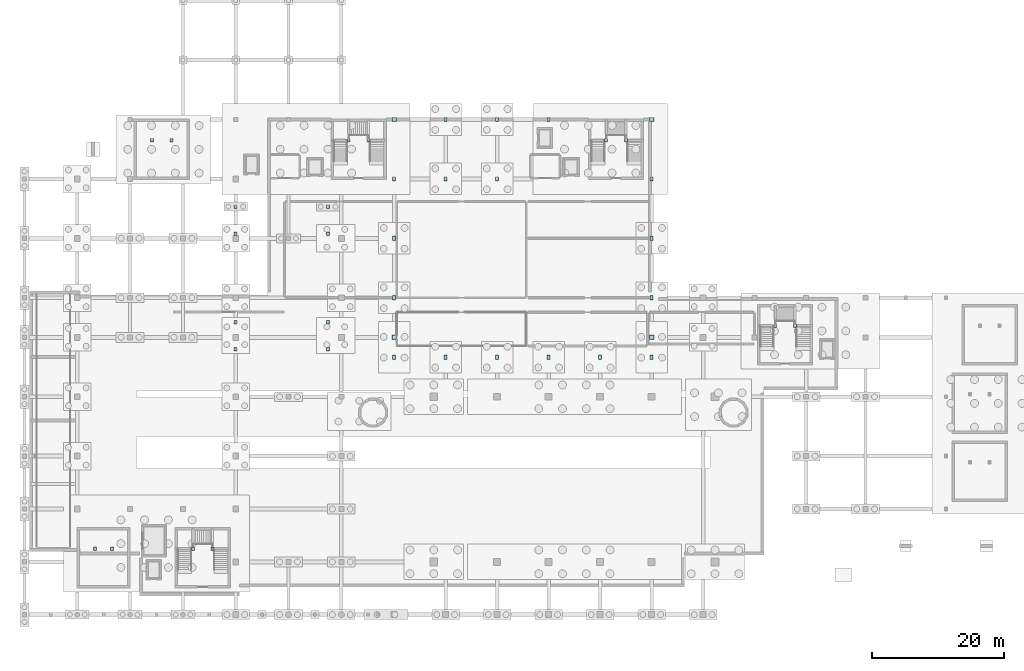
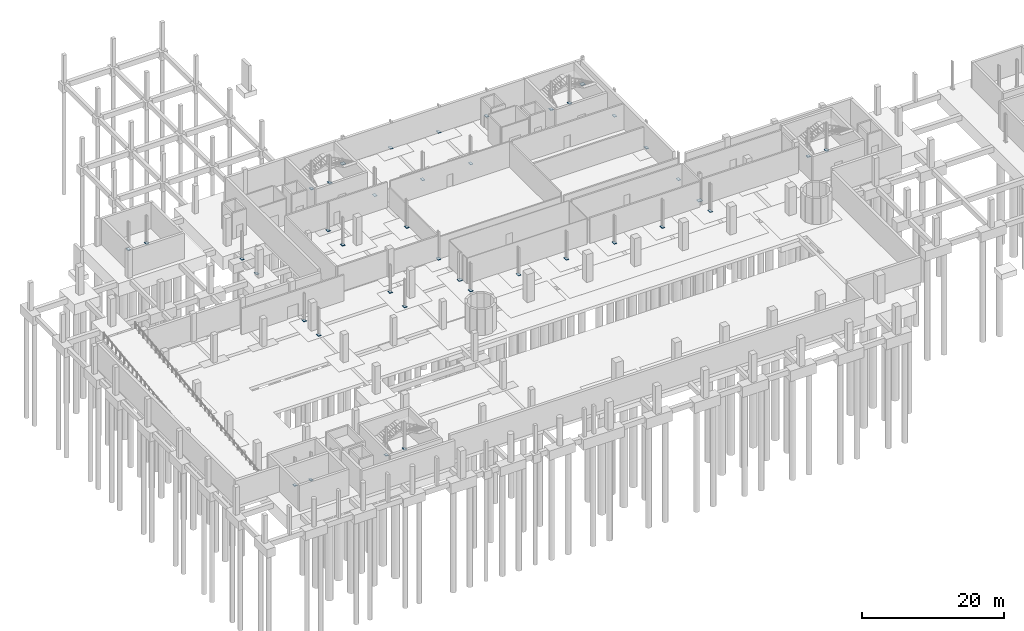
# One storey, part 23 of 32: 41 plates.
"""IFC4 building model written with IfcOpenShell, lengths in metres."""

from ifc_helpers import new_model, si_unit, derived_unit, direction, frame, origin, origin_2d, place, context, subcontext, project, spatial, rectangle, extrude, material, layer, layer_set, type_object, element, save


model = new_model("IFC4")

# Units and contexts
model_context = context("Model", 3, precision=1e-05, world=origin(), true_north=direction((0.0, 1.0)))
body_context = subcontext(model_context, "Body", "Model", "MODEL_VIEW")
ifc_project = project(units=[si_unit("LENGTHUNIT", "METRE"), si_unit("AREAUNIT", "SQUARE_METRE"), si_unit("VOLUMEUNIT", "CUBIC_METRE"), si_unit("PLANEANGLEUNIT", "RADIAN"), si_unit("MASSUNIT", "GRAM", prefix="KILO"), derived_unit("THERMALTRANSMITTANCEUNIT", [(si_unit("POWERUNIT", "WATT"), 1), (si_unit("LENGTHUNIT", "METRE"), -2), (si_unit("THERMODYNAMICTEMPERATUREUNIT", "KELVIN"), -1)])], contexts=[model_context])

# Site, building, storey
site_placement = place(None, origin())
site = spatial("IfcSite", under=ifc_project, at=site_placement, CompositionType="ELEMENT")
building_placement = place(site_placement, origin())
building = spatial("IfcBuilding", under=site, at=building_placement, Name="Nallur Shell Playhouse", CompositionType="ELEMENT")
storey_placement = place(building_placement, frame((0.0, 0.0, -4.800048828125)))
storey = spatial("IfcBuildingStorey", under=building, at=storey_placement, Name="B1", CompositionType="ELEMENT", Elevation=-4.800048828125)

# Plates
ifc_material = material(Name="Steel E350", Category="steel")
ifc_layer_1 = layer(ifc_material, 0.050048828125)
ifc_layer_set_1 = layer_set([ifc_layer_1], Name="Steel E350")
plate_type_1 = type_object("IfcPlateType", Name="PT-BASE-50", PredefinedType="SHEET", material=ifc_layer_set_1)
plate_1_placement = place(storey_placement, frame((64.0, 50.0, 0.0), z_axis=(0.0, 0.0, 1.0), x_axis=(1.0, 0.0, 0.0)))
element("IfcPlate", 1, at=plate_1_placement, inside=storey, type_object=plate_type_1, Name="Steel column base plate BP-001", PredefinedType="SHEET", context=body_context, shape_type="SweptSolid", body=[
    extrude(rectangle(XDim=0.64990234375, YDim=0.64990234375, at=origin_2d()), origin(), (0.0, 0.0, 1.0), 0.050048828125),
])
plate_2_placement = place(storey_placement, frame((64.0, 65.0, 0.0), z_axis=(0.0, 0.0, 1.0), x_axis=(1.0, 0.0, 0.0)))
element("IfcPlate", 2, at=plate_2_placement, inside=storey, type_object=plate_type_1, Name="Steel column base plate BP-003", PredefinedType="SHEET", context=body_context, shape_type="SweptSolid", body=[
    extrude(rectangle(XDim=0.449951171875, YDim=0.64990234375, at=origin_2d()), origin(), (0.0, 0.0, 1.0), 0.050048828125),
])
plate_3_placement = place(storey_placement, frame((64.0, 83.0, 0.0), z_axis=(0.0, 0.0, 1.0), x_axis=(1.0, 0.0, 0.0)))
element("IfcPlate", 3, at=plate_3_placement, inside=storey, type_object=plate_type_1, Name="Steel column base plate BP-005", PredefinedType="SHEET", context=body_context, shape_type="SweptSolid", body=[
    extrude(rectangle(XDim=0.64990234375, YDim=0.64990234375, at=origin_2d()), origin(), (0.0, 0.0, 1.0), 0.050048828125),
])
for number, where, z_axis, x_axis, name in (
    (4, (71.800048828125, 83.0, 0.0), (0.0, 0.0, 1.0), (1.0, 0.0, 0.0), "Steel column base plate BP-007"),
    (5, (79.60009765625, 83.0, 0.0), (0.0, 0.0, 1.0), (1.0, 0.0, 0.0), "Steel column base plate BP-009"),
):
    element("IfcPlate", number, at=place(storey_placement, frame(where, z_axis=z_axis, x_axis=x_axis)), inside=storey, type_object=plate_type_1, Name=name, PredefinedType="SHEET", context=body_context, shape_type="SweptSolid", body=[
        extrude(rectangle(XDim=0.449951171875, YDim=0.64990234375, at=origin_2d()), origin(), (0.0, 0.0, 1.0), 0.050048828125),
    ])
plate_4_placement = place(storey_placement, frame((103.0, 50.0, 0.0), z_axis=(0.0, 0.0, 1.0), x_axis=(1.0, 0.0, 0.0)))
element("IfcPlate", 6, at=plate_4_placement, inside=storey, type_object=plate_type_1, Name="Steel column base plate BP-011", PredefinedType="SHEET", context=body_context, shape_type="SweptSolid", body=[
    extrude(rectangle(XDim=0.64990234375, YDim=0.64990234375, at=origin_2d()), origin(), (0.0, 0.0, 1.0), 0.050048828125),
])
plate_5_placement = place(storey_placement, frame((103.0, 65.0, 0.0), z_axis=(0.0, 0.0, 1.0), x_axis=(1.0, 0.0, 0.0)))
element("IfcPlate", 7, at=plate_5_placement, inside=storey, type_object=plate_type_1, Name="Steel column base plate BP-013", PredefinedType="SHEET", context=body_context, shape_type="SweptSolid", body=[
    extrude(rectangle(XDim=0.449951171875, YDim=0.64990234375, at=origin_2d()), origin(), (0.0, 0.0, 1.0), 0.050048828125),
])
plate_6_placement = place(storey_placement, frame((103.0, 83.0, 0.0), z_axis=(0.0, 0.0, 1.0), x_axis=(1.0, 0.0, 0.0)))
element("IfcPlate", 8, at=plate_6_placement, inside=storey, type_object=plate_type_1, Name="Steel column base plate BP-015", PredefinedType="SHEET", context=body_context, shape_type="SweptSolid", body=[
    extrude(rectangle(XDim=0.64990234375, YDim=0.64990234375, at=origin_2d()), origin(), (0.0, 0.0, 1.0), 0.050048828125),
])
for number, where, z_axis, x_axis, name in (
    (9, (40.0, 48.199951171875, 0.0), (0.0, 0.0, 1.0), (1.0, 0.0, 0.0), "Steel column base plate BP-025"),
    (10, (40.0, 52.300048828125, 0.0), (0.0, 0.0, 1.0), (1.0, 0.0, 0.0), "Steel column base plate BP-027"),
    (11, (40.0, 65.699951171875, 0.0), (0.0, 0.0, 1.0), (1.0, 0.0, 0.0), "Steel column base plate BP-029"),
    (12, (40.0, 69.800048828125, 0.0), (0.0, 0.0, 1.0), (1.0, 0.0, 0.0), "Steel column base plate BP-031"),
):
    element("IfcPlate", number, at=place(storey_placement, frame(where, z_axis=z_axis, x_axis=x_axis)), inside=storey, type_object=plate_type_1, Name=name, PredefinedType="SHEET", context=body_context, shape_type="SweptSolid", body=[
        extrude(rectangle(XDim=0.449951171875, YDim=0.550048828125, at=origin_2d()), origin(), (0.0, 0.0, 1.0), 0.050048828125),
    ])
for number, where, z_axis, x_axis, name in (
    (13, (64.0, 47.0, 0.0), (0.0, 0.0, 1.0), (1.0, 0.0, 0.0), "Steel column base plate BP-033"),
    (14, (79.60009765625, 47.0, 0.0), (0.0, 0.0, 1.0), (1.0, 0.0, 0.0), "Steel column base plate BP-035"),
    (15, (95.199951171875, 47.0, 0.0), (0.0, 0.0, 1.0), (1.0, 0.0, 0.0), "Steel column base plate BP-037"),
):
    element("IfcPlate", number, at=place(storey_placement, frame(where, z_axis=z_axis, x_axis=x_axis)), inside=storey, type_object=plate_type_1, Name=name, PredefinedType="SHEET", context=body_context, shape_type="SweptSolid", body=[
        extrude(rectangle(XDim=0.449951171875, YDim=0.64990234375, at=origin_2d()), origin(), (0.0, 0.0, 1.0), 0.050048828125),
    ])
for number, where, z_axis, x_axis, name in (
    (16, (33.52001953125, 17.97998046875, 0.0), (0.0, 0.0, 1.0), (1.0, 0.0, 0.0), "Steel column base plate BP-039"),
    (17, (121.719970703125, 51.780029296875, 0.0), (0.0, 0.0, 1.0), (1.0, 0.0, 0.0), "Steel column base plate BP-041"),
    (18, (57.1201171875, 79.8798828125, 0.0), (0.0, 0.0, 1.0), (1.0, 0.0, 0.0), "Steel column base plate BP-043"),
    (19, (96.1201171875, 79.8798828125, 0.0), (0.0, 0.0, 1.0), (1.0, 0.0, 0.0), "Steel column base plate BP-045"),
    (20, (27.320068359375, 79.8798828125, 0.0), (0.0, 0.0, 1.0), (1.0, 0.0, 0.0), "Steel column base plate BP-049"),
    (21, (18.669921875, 17.97998046875, 0.0), (0.0, 0.0, 1.0), (1.0, 0.0, 0.0), "Steel column base plate BP-051"),
):
    element("IfcPlate", number, at=place(storey_placement, frame(where, z_axis=z_axis, x_axis=x_axis)), inside=storey, type_object=plate_type_1, Name=name, PredefinedType="SHEET", context=body_context, shape_type="SweptSolid", body=[
        extrude(rectangle(XDim=0.449951171875, YDim=0.550048828125, at=origin_2d()), origin(), (0.0, 0.0, 1.0), 0.050048828125),
    ])
ifc_layer_2 = layer(ifc_material, 0.070068359375)
ifc_layer_set_2 = layer_set([ifc_layer_2], Name="Steel E350")
plate_type_2 = type_object("IfcPlateType", Name="PT-BEAR-70", PredefinedType="SHEET", material=ifc_layer_set_2)
for number, where, z_axis, x_axis, name in (
    (22, (64.0, 56.0, 0.0), (0.0, 0.0, 1.0), (1.0, 0.0, 0.0), "Steel column base plate BP-002"),
    (23, (64.0, 74.0, 0.0), (0.0, 0.0, 1.0), (1.0, 0.0, 0.0), "Steel column base plate BP-004"),
    (24, (71.800048828125, 74.0, 0.0), (0.0, 0.0, 1.0), (1.0, 0.0, 0.0), "Steel column base plate BP-006"),
    (25, (79.60009765625, 74.0, 0.0), (0.0, 0.0, 1.0), (1.0, 0.0, 0.0), "Steel column base plate BP-008"),
    (26, (87.39990234375, 83.0, 0.0), (0.0, 0.0, 1.0), (1.0, 0.0, 0.0), "Steel column base plate BP-010"),
    (27, (103.0, 56.0, 0.0), (0.0, 0.0, 1.0), (1.0, 0.0, 0.0), "Steel column base plate BP-012"),
    (28, (103.0, 74.0, 0.0), (0.0, 0.0, 1.0), (1.0, 0.0, 0.0), "Steel column base plate BP-014"),
):
    element("IfcPlate", number, at=place(storey_placement, frame(where, z_axis=z_axis, x_axis=x_axis)), inside=storey, type_object=plate_type_2, Name=name, PredefinedType="SHEET", context=body_context, shape_type="SweptSolid", body=[
        extrude(rectangle(XDim=0.449951171875, YDim=0.64990234375, at=origin_2d()), origin(), (0.0, 0.0, 1.0), 0.070068359375),
    ])
for number, where, z_axis, x_axis, name in (
    (29, (54.0, 48.199951171875, 0.0), (0.0, 0.0, 1.0), (1.0, 0.0, 0.0), "Steel column base plate BP-026"),
    (30, (54.0, 52.300048828125, 0.0), (0.0, 0.0, 1.0), (1.0, 0.0, 0.0), "Steel column base plate BP-028"),
    (31, (54.0, 65.699951171875, 0.0), (0.0, 0.0, 1.0), (1.0, 0.0, 0.0), "Steel column base plate BP-030"),
    (32, (54.0, 69.800048828125, 0.0), (0.0, 0.0, 1.0), (1.0, 0.0, 0.0), "Steel column base plate BP-032"),
):
    element("IfcPlate", number, at=place(storey_placement, frame(where, z_axis=z_axis, x_axis=x_axis)), inside=storey, type_object=plate_type_2, Name=name, PredefinedType="SHEET", context=body_context, shape_type="SweptSolid", body=[
        extrude(rectangle(XDim=0.449951171875, YDim=0.550048828125, at=origin_2d()), origin(), (0.0, 0.0, 1.0), 0.070068359375),
    ])
for number, where, z_axis, x_axis, name in (
    (33, (71.800048828125, 47.0, 0.0), (0.0, 0.0, 1.0), (1.0, 0.0, 0.0), "Steel column base plate BP-034"),
    (34, (87.39990234375, 47.0, 0.0), (0.0, 0.0, 1.0), (1.0, 0.0, 0.0), "Steel column base plate BP-036"),
    (35, (103.0, 47.0, 0.0), (0.0, 0.0, 1.0), (1.0, 0.0, 0.0), "Steel column base plate BP-038"),
):
    element("IfcPlate", number, at=place(storey_placement, frame(where, z_axis=z_axis, x_axis=x_axis)), inside=storey, type_object=plate_type_2, Name=name, PredefinedType="SHEET", context=body_context, shape_type="SweptSolid", body=[
        extrude(rectangle(XDim=0.449951171875, YDim=0.64990234375, at=origin_2d()), origin(), (0.0, 0.0, 1.0), 0.070068359375),
    ])
for number, where, z_axis, x_axis, name in (
    (36, (36.47998046875, 17.97998046875, 0.0), (0.0, 0.0, 1.0), (1.0, 0.0, 0.0), "Steel column base plate BP-040"),
    (37, (124.679931640625, 51.780029296875, 0.0), (0.0, 0.0, 1.0), (1.0, 0.0, 0.0), "Steel column base plate BP-042"),
    (38, (60.080078125, 79.8798828125, 0.0), (0.0, 0.0, 1.0), (1.0, 0.0, 0.0), "Steel column base plate BP-044"),
    (39, (99.080078125, 79.8798828125, 0.0), (0.0, 0.0, 1.0), (1.0, 0.0, 0.0), "Steel column base plate BP-046"),
    (40, (30.280029296875, 79.8798828125, 0.0), (0.0, 0.0, 1.0), (1.0, 0.0, 0.0), "Steel column base plate BP-050"),
    (41, (21.280029296875, 17.97998046875, 0.0), (0.0, 0.0, 1.0), (1.0, 0.0, 0.0), "Steel column base plate BP-052"),
):
    element("IfcPlate", number, at=place(storey_placement, frame(where, z_axis=z_axis, x_axis=x_axis)), inside=storey, type_object=plate_type_2, Name=name, PredefinedType="SHEET", context=body_context, shape_type="SweptSolid", body=[
        extrude(rectangle(XDim=0.449951171875, YDim=0.550048828125, at=origin_2d()), origin(), (0.0, 0.0, 1.0), 0.070068359375),
    ])

save(model, "model.ifc")
